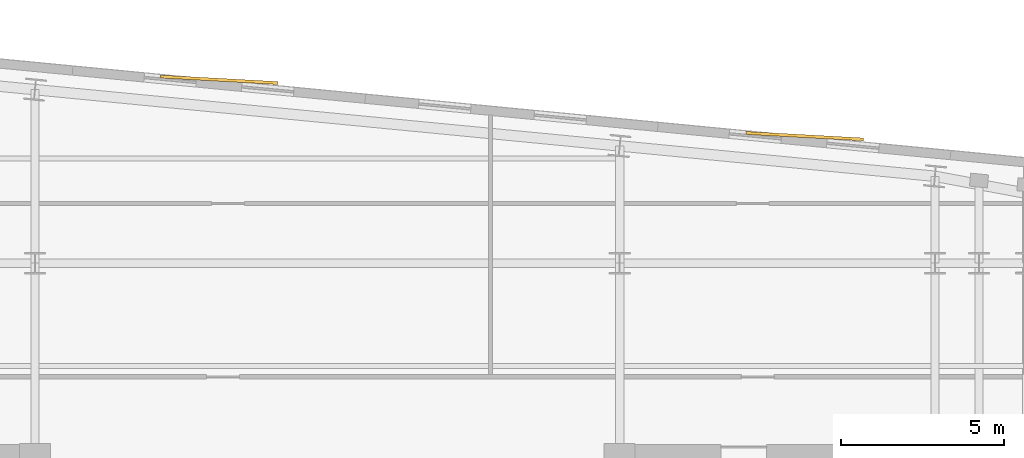
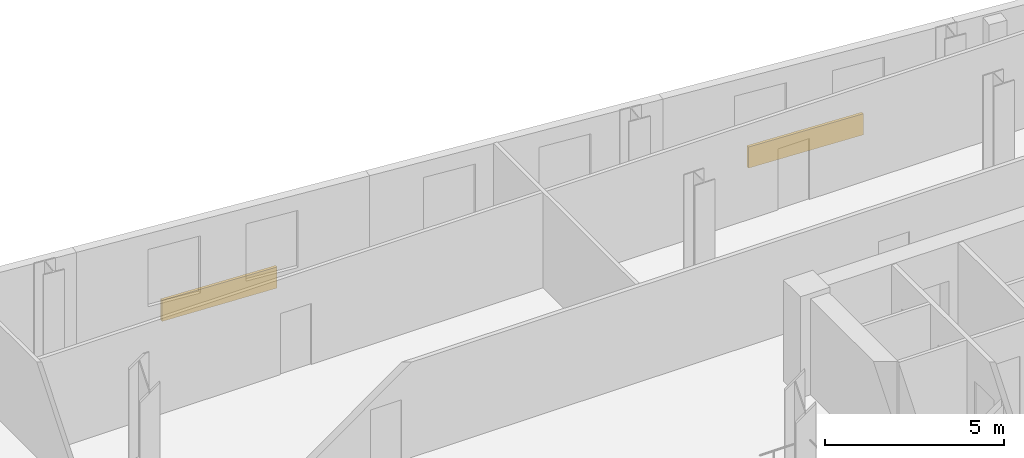
# One storey, part 9 of 9: 2 coverings.
"""IFC4 building model written with IfcOpenShell, lengths in metres."""

from ifc_helpers import new_model, si_unit, direction, frame, origin, origin_2d, place, context, subcontext, project, spatial, rectangle, extrude, material, layer, layer_set, type_object, element, save


model = new_model("IFC4")

# Units and contexts
model_context = context("Model", 3, precision=1e-05, world=origin(), true_north=direction((0.0, 1.0)))
body_context = subcontext(model_context, "Body", "Model", "MODEL_VIEW")
ifc_project = project(units=[si_unit("LENGTHUNIT", "METRE"), si_unit("AREAUNIT", "SQUARE_METRE"), si_unit("VOLUMEUNIT", "CUBIC_METRE"), si_unit("PLANEANGLEUNIT", "RADIAN"), si_unit("MASSUNIT", "GRAM", prefix="KILO")], contexts=[model_context])

# Site, building, storey
site_placement = place(None, origin())
site = spatial("IfcSite", under=ifc_project, at=site_placement, CompositionType="ELEMENT")
building_placement = place(site_placement, origin())
building = spatial("IfcBuilding", under=site, at=building_placement, Name="Velakula Bourse", CompositionType="ELEMENT")
storey_placement = place(building_placement, frame((0.0, 0.0, 181.10009765625)))
storey = spatial("IfcBuildingStorey", under=building, at=storey_placement, Name="L49", CompositionType="ELEMENT", Elevation=181.10009765625)

# Coverings
ifc_material = material(Name="Buff kilned clay facing brick masonry", Category="masonry")
ifc_layer = layer(ifc_material, 0.074951171875, Name="Buff kilned clay facing brick masonry", Category="masonry")
ifc_layer_set = layer_set([ifc_layer], Name="Buff kilned clay facing brick masonry")
covering_type = type_object("IfcCoveringType", Name="COV-BRK-SPN-75", PredefinedType="CLADDING", material=ifc_layer_set)
for number, where, z_axis, x_axis, name in (
    (1, (-3.304931640625, 20.213623046875, 0.0), (0.0, 0.0, 1.0), (0.998489097451, -0.054950179912, 0.0), "L49 Folded Brick Facade Cladding Panel N-B2"),
    (2, (14.6123046875, 18.48828125, 0.0), (0.0, 0.0, 1.0), (0.998489097451, -0.054950179912, 0.0), "L49 Folded Brick Facade Cladding Panel N-B4"),
):
    element("IfcCovering", number, at=place(storey_placement, frame(where, z_axis=z_axis, x_axis=x_axis)), inside=storey, type_object=covering_type, Name=name, PredefinedType="CLADDING", context=body_context, shape_type="SweptSolid", body=[
        extrude(rectangle(XDim=3.60009765625, YDim=0.090087890625, at=origin_2d()), origin(), (0.0, 0.0, 1.0), 0.719970703125),
    ])

save(model, "model.ifc")
